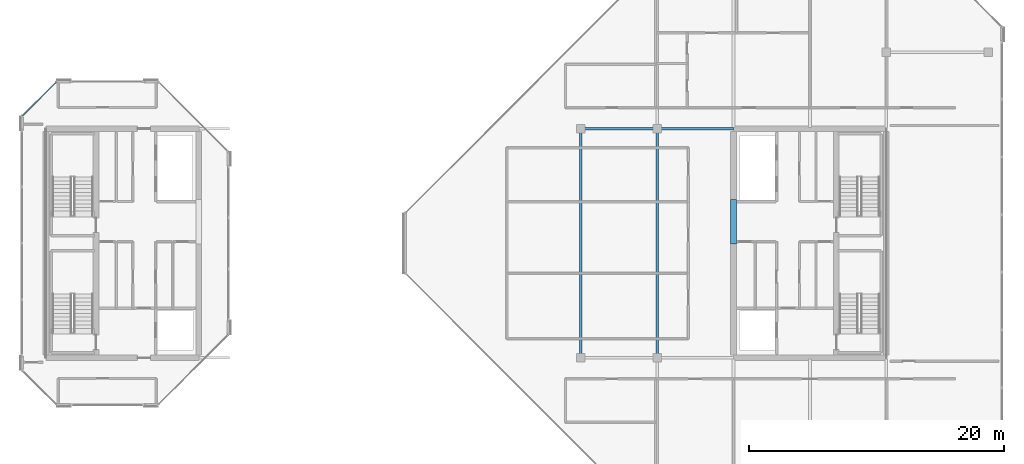
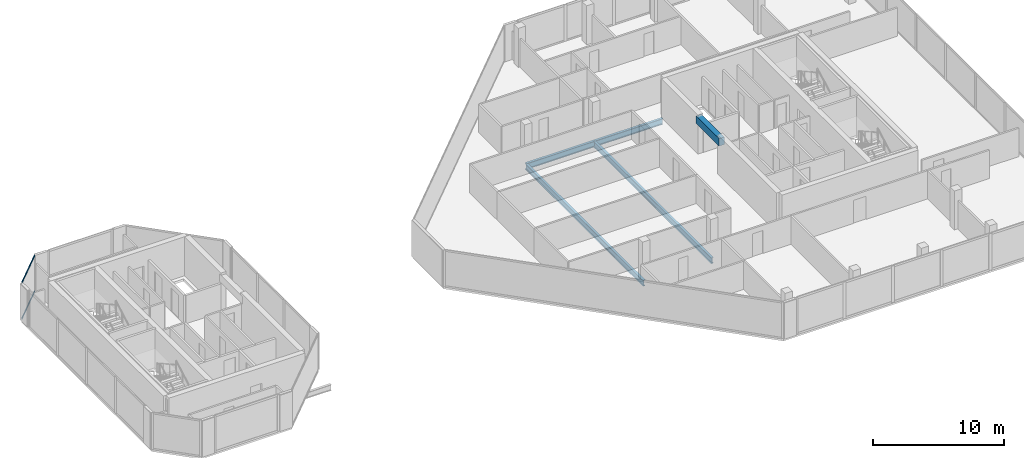
# One storey, part 12 of 30: 5 beams, 2 members, 1 element without a shape of its own.
"""IFC4 building model written with IfcOpenShell, lengths in metres."""

from ifc_helpers import new_model, si_unit, direction, frame, origin, origin_2d, place, context, subcontext, project, spatial, rectangle, hollow_rectangle, i_section, extrude, material, layer, layer_set, material_profile, profile_set, type_object, element, aggregate, save


model = new_model("IFC4")

# Units and contexts
model_context = context("Model", 3, precision=1e-05, world=origin(), true_north=direction((0.0, 1.0)))
body_context = subcontext(model_context, "Body", "Model", "MODEL_VIEW")
ifc_project = project(units=[si_unit("LENGTHUNIT", "METRE"), si_unit("AREAUNIT", "SQUARE_METRE"), si_unit("VOLUMEUNIT", "CUBIC_METRE"), si_unit("PLANEANGLEUNIT", "RADIAN"), si_unit("MASSUNIT", "GRAM", prefix="KILO")], contexts=[model_context])

# Site, building, storey
site_placement = place(None, origin())
site = spatial("IfcSite", under=ifc_project, at=site_placement, CompositionType="ELEMENT")
building_placement = place(site_placement, origin())
building = spatial("IfcBuilding", under=site, at=building_placement, Name="Tanjung Sevakor Pilgrim Tower", CompositionType="ELEMENT")
storey_placement = place(building_placement, frame((0.0, 0.0, 253.43994140625)))
storey = spatial("IfcBuildingStorey", under=building, at=storey_placement, Name="L71", CompositionType="ELEMENT", Elevation=253.43994140625)

# Beams
ifc_material_1 = material(Name="Steel S355J2", Category="steel")
ifc_material_profile_1 = material_profile(ifc_material_1, i_section(OverallWidth=0.2119140625, OverallDepth=0.54443359375, WebThickness=0.0126953125, FlangeThickness=0.021240234375, FilletRadius=0.0126953125, at=origin_2d()))
ifc_profile_set_1 = profile_set([ifc_material_profile_1], Name="Steel S355J2")
beam_type_1 = type_object("IfcBeamType", Name="BM-B-G5-UB_533x210x122", PredefinedType="BEAM", material=ifc_profile_set_1)
for number, where, z_axis, x_axis, name in (
    (1, (66.0, 42.60009765625, -0.4921875), (1.0, 0.0, 0.0), (0.0, 1.0, 0.0), "L71 Primary Floor Girder EAST Y426-01"),
    (2, (72.0, 42.60009765625, -0.4921875), (1.0, 0.0, 0.0), (0.0, 1.0, 0.0), "L71 Primary Floor Girder EAST Y426-02"),
):
    element("IfcBeam", number, at=place(storey_placement, frame(where, z_axis=z_axis, x_axis=x_axis)), inside=storey, type_object=beam_type_1, Name=name, PredefinedType="BEAM", context=body_context, shape_type="SweptSolid", body=[
        extrude(i_section(OverallWidth=0.2119140625, OverallDepth=0.54443359375, WebThickness=0.0126953125, FlangeThickness=0.021240234375, FilletRadius=0.0126953125, at=origin_2d()), origin(), (0.0, 0.0, 1.0), 6.0),
    ])
ifc_material_2 = material(Name="Steel S355J2", Category="steel")
ifc_material_profile_2 = material_profile(ifc_material_2, i_section(OverallWidth=0.210693359375, OverallDepth=0.53955078125, WebThickness=0.01171875, FlangeThickness=0.018798828125, FilletRadius=0.0126953125, at=origin_2d()))
ifc_profile_set_2 = profile_set([ifc_material_profile_2], Name="Steel S355J2")
beam_type_2 = type_object("IfcBeamType", Name="BM-B-G6-UB_533x210x109", PredefinedType="BEAM", material=ifc_profile_set_2)
for number, where, z_axis, x_axis, name in (
    (3, (66.0, 24.60009765625, -0.48974609375), (0.0, 1.0, 0.0), (-1.0, 0.0, 0.0), "L71 EAST Girder 001"),
    (4, (72.0, 24.60009765625, -0.48974609375), (0.0, 1.0, 0.0), (-1.0, 0.0, 0.0), "L71 EAST Girder 003"),
):
    element("IfcBeam", number, at=place(storey_placement, frame(where, z_axis=z_axis, x_axis=x_axis)), inside=storey, type_object=beam_type_2, Name=name, PredefinedType="BEAM", context=body_context, shape_type="SweptSolid", body=[
        extrude(i_section(OverallWidth=0.210693359375, OverallDepth=0.53955078125, WebThickness=0.01171875, FlangeThickness=0.018798828125, FilletRadius=0.0126953125, at=origin_2d()), origin(), (0.0, 0.0, 1.0), 18.0),
    ])
ifc_material_3 = material(Name="Concrete C60/75", Category="concrete")
ifc_material_profile_3 = material_profile(ifc_material_3, rectangle(XDim=0.449951171875, YDim=0.699951171875, at=origin_2d()))
ifc_profile_set_3 = profile_set([ifc_material_profile_3], Name="Concrete C60/75")
beam_type_3 = type_object("IfcBeamType", Name="BM-B-LN3-RC-BM_450x700", PredefinedType="LINTEL", material=ifc_profile_set_3)
beam_placement = place(storey_placement, frame((78.0, 33.550048828125, 3.06005859375), z_axis=(0.0, 1.0, 0.0), x_axis=(-1.0, 0.0, 0.0)))
element("IfcBeam", 5, at=beam_placement, inside=storey, type_object=beam_type_3, Name="L71 E Core Coupling Lintel", PredefinedType="LINTEL", context=body_context, shape_type="SweptSolid", body=[
    extrude(rectangle(XDim=0.449951171875, YDim=0.699951171875, at=origin_2d()), origin(), (0.0, 0.0, 1.0), 3.5),
])

# Curtain wall, members
ifc_material_4 = material(Name="Aluminium 6063-T6 and Low-E Glass", Category="aluminium")
ifc_layer = layer(ifc_material_4, 0.179931640625)
ifc_layer_set = layer_set([ifc_layer], Name="CW-SYS-CHAM")
curtain_wall_type = type_object("IfcCurtainWallType", Name="CW-SYS-CHAM", PredefinedType="NOTDEFINED", material=ifc_layer_set)
curtain_wall_placement = place(storey_placement, origin())
curtain_wall = element("IfcCurtainWall", 6, at=curtain_wall_placement, inside=storey, type_object=curtain_wall_type, Name="L71 Curtain Wall CW-CHM-L71-WEST-5", PredefinedType="NOTDEFINED")
ifc_material_5 = material(Name="Aluminium 6063-T6", Category="aluminium")
ifc_material_profile_4 = material_profile(ifc_material_5, hollow_rectangle(XDim=0.06494140625, YDim=0.139892578125, WallThickness=0.00390625, at=origin_2d()))
ifc_profile_set_4 = profile_set([ifc_material_profile_4], Name="Aluminium 6063-T6")
member_type = type_object("IfcMemberType", Name="TYPE-CWT-1", PredefinedType="USERDEFINED", material=ifc_profile_set_4)
member_1_placement = place(storey_placement, frame((24.799560546875, 46.244140625, 0.032470703125), z_axis=(-0.707074130168, -0.707139430697, 0.0), x_axis=(0.707139430697, -0.707074130168, 0.0)))
member_1 = element("IfcMember", 7, at=member_1_placement, type_object=member_type, Name="CW-CHM transom 1.1", ObjectType="TRANSOM", PredefinedType="USERDEFINED", context=body_context, shape_type="SweptSolid", body=[
    extrude(hollow_rectangle(XDim=0.06494140625, YDim=0.139892578125, WallThickness=0.00390625, at=origin_2d()), origin(), (0.0, 0.0, 1.0), 3.73876953125),
])
member_2_placement = place(storey_placement, frame((24.799560546875, 46.244140625, 3.37744140625), z_axis=(-0.707074130168, -0.707139430697, 0.0), x_axis=(0.707139430697, -0.707074130168, 0.0)))
member_2 = element("IfcMember", 8, at=member_2_placement, type_object=member_type, Name="CW-CHM transom 1.2", ObjectType="TRANSOM", PredefinedType="USERDEFINED", context=body_context, shape_type="SweptSolid", body=[
    extrude(hollow_rectangle(XDim=0.06494140625, YDim=0.139892578125, WallThickness=0.00390625, at=origin_2d()), origin(), (0.0, 0.0, 1.0), 3.73876953125),
])
aggregate(curtain_wall, [member_1, member_2])

save(model, "model.ifc")
